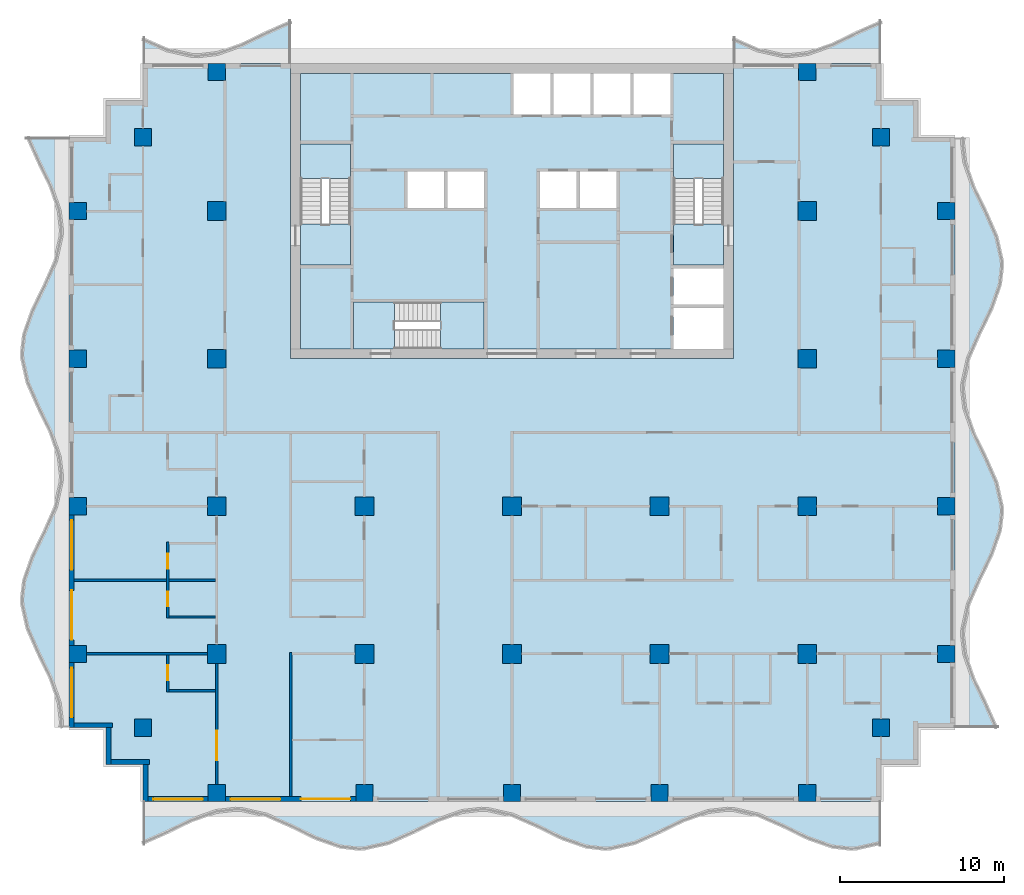
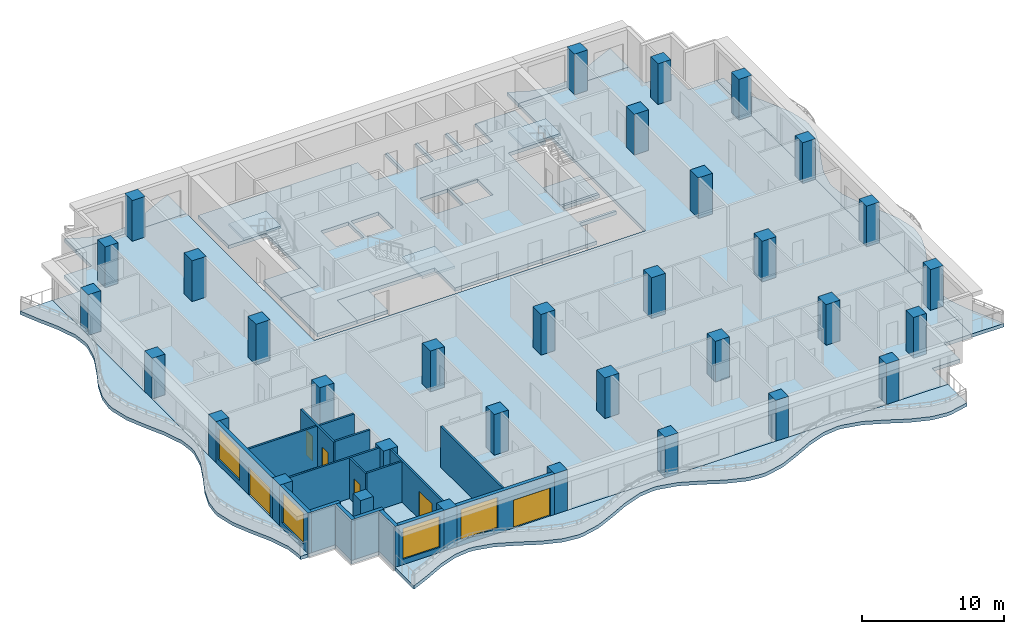
# One storey, part 1 of 11: 33 columns, 17 walls, 13 slabs, 6 doors, 4 windows, 10 openings, 3 elements without a shape of their own.
"""IFC4 building model written with IfcOpenShell, lengths in metres."""

from ifc_helpers import new_model, si_unit, direction, frame, frame_2d, origin, origin_2d, place, context, subcontext, project, spatial, polyline, rectangle, outline, extrude, material, layer, layer_set, material_profile, profile_set, type_object, element, fill, aggregate, save


model = new_model("IFC4")

# Units and contexts
model_context = context("Model", 3, precision=1e-05, world=origin(), true_north=direction((0.0, 1.0)))
body_context = subcontext(model_context, "Body", "Model", "MODEL_VIEW")
ifc_project = project(units=[si_unit("LENGTHUNIT", "METRE"), si_unit("AREAUNIT", "SQUARE_METRE"), si_unit("VOLUMEUNIT", "CUBIC_METRE"), si_unit("PLANEANGLEUNIT", "RADIAN"), si_unit("MASSUNIT", "GRAM", prefix="KILO")], contexts=[model_context])

# Site, building, storey
site_placement = place(None, origin())
site = spatial("IfcSite", under=ifc_project, at=site_placement, CompositionType="ELEMENT")
building_placement = place(site_placement, origin())
building = spatial("IfcBuilding", under=site, at=building_placement, Name="Orbiselva Terraces", CompositionType="ELEMENT")
storey_placement = place(building_placement, frame((0.0, 0.0, 192.0)))
storey = spatial("IfcBuildingStorey", under=building, at=storey_placement, Name="L48", CompositionType="ELEMENT", Elevation=192.0)

# Columns
ifc_material_1 = material(Name="Concrete C60/75", Category="concrete")
ifc_material_profile_1 = material_profile(ifc_material_1, rectangle(XDim=1.15, YDim=1.15, at=origin_2d()), Name="RC 1150x1150")
ifc_profile_set_1 = profile_set([ifc_material_profile_1], Name="Concrete C60/75")
column_type_1 = type_object("IfcColumnType", Name="COLUMN RC 1150x1150", PredefinedType="COLUMN", material=ifc_profile_set_1)
for number, where, z_axis, x_axis, name in (
    (1, (-18.0, -13.5, 0.0), (0.0, 0.0, 1.0), (1.0, 0.0, 0.0), "Column L48-01"),
    (2, (-18.0, -4.5, 0.0), (0.0, 0.0, 1.0), (1.0, 0.0, 0.0), "Column L48-03"),
    (3, (-18.0, 13.5, 0.0), (0.0, 0.0, 1.0), (1.0, 0.0, 0.0), "Column L48-04"),
    (4, (-18.0, 4.5, 0.0), (0.0, 0.0, 1.0), (1.0, 0.0, 0.0), "Column L48-06"),
    (5, (-9.0, -13.5, 0.0), (0.0, 0.0, 1.0), (1.0, 0.0, 0.0), "Column L48-13"),
    (6, (-9.0, -4.5, 0.0), (0.0, 0.0, 1.0), (1.0, 0.0, 0.0), "Column L48-15"),
    (7, (0.0, -13.5, 0.0), (0.0, 0.0, 1.0), (1.0, 0.0, 0.0), "Column L48-16"),
    (8, (0.0, -4.5, 0.0), (0.0, 0.0, 1.0), (1.0, 0.0, 0.0), "Column L48-18"),
    (9, (18.0, -13.5, 0.0), (0.0, 0.0, 1.0), (1.0, 0.0, 0.0), "Column L48-19"),
    (10, (18.0, -4.5, 0.0), (0.0, 0.0, 1.0), (1.0, 0.0, 0.0), "Column L48-21"),
    (11, (18.0, 13.5, 0.0), (0.0, 0.0, 1.0), (1.0, 0.0, 0.0), "Column L48-22"),
    (12, (18.0, 4.5, 0.0), (0.0, 0.0, 1.0), (1.0, 0.0, 0.0), "Column L48-24"),
    (13, (9.0, -13.5, 0.0), (0.0, 0.0, 1.0), (1.0, 0.0, 0.0), "Column L48-31"),
    (14, (9.0, -4.5, 0.0), (0.0, 0.0, 1.0), (1.0, 0.0, 0.0), "Column L48-33"),
):
    element("IfcColumn", number, at=place(storey_placement, frame(where, z_axis=z_axis, x_axis=x_axis)), inside=storey, type_object=column_type_1, Name=name, PredefinedType="COLUMN", context=body_context, shape_type="SweptSolid", body=[
        extrude(rectangle(XDim=1.15, YDim=1.15, at=origin_2d()), origin(), (0.0, 0.0, 1.0), 3.5),
    ])
ifc_material_2 = material(Name="Concrete C50/60", Category="concrete")
ifc_material_profile_2 = material_profile(ifc_material_2, rectangle(XDim=1.05, YDim=1.05, at=origin_2d()), Name="RC 1050x1050")
ifc_profile_set_2 = profile_set([ifc_material_profile_2], Name="Concrete C50/60")
column_type_2 = type_object("IfcColumnType", Name="PERIMETER COLUMN RC 1050x1050", PredefinedType="COLUMN", material=ifc_profile_set_2)
for number, where, z_axis, x_axis, name in (
    (15, (-18.0, -21.975, 0.0), (0.0, 0.0, 1.0), (1.0, 0.0, 0.0), "Column L48-02"),
    (16, (-18.0, 21.975, 0.0), (0.0, 0.0, 1.0), (1.0, 0.0, 0.0), "Column L48-05"),
    (17, (-26.475, -13.5, 0.0), (0.0, 0.0, 1.0), (1.0, 0.0, 0.0), "Column L48-07"),
    (18, (-22.5, -18.0, 0.0), (0.0, 0.0, 1.0), (1.0, 0.0, 0.0), "Column L48-08"),
    (19, (-26.475, -4.5, 0.0), (0.0, 0.0, 1.0), (1.0, 0.0, 0.0), "Column L48-09"),
    (20, (-26.475, 13.5, 0.0), (0.0, 0.0, 1.0), (1.0, 0.0, 0.0), "Column L48-10"),
    (21, (-22.5, 18.0, 0.0), (0.0, 0.0, 1.0), (1.0, 0.0, 0.0), "Column L48-11"),
    (22, (-26.475, 4.5, 0.0), (0.0, 0.0, 1.0), (1.0, 0.0, 0.0), "Column L48-12"),
    (23, (-9.0, -21.975, 0.0), (0.0, 0.0, 1.0), (1.0, 0.0, 0.0), "Column L48-14"),
    (24, (0.0, -21.975, 0.0), (0.0, 0.0, 1.0), (1.0, 0.0, 0.0), "Column L48-17"),
    (25, (18.0, -21.975, 0.0), (0.0, 0.0, 1.0), (1.0, 0.0, 0.0), "Column L48-20"),
    (26, (18.0, 21.975, 0.0), (0.0, 0.0, 1.0), (1.0, 0.0, 0.0), "Column L48-23"),
    (27, (26.475, -13.5, 0.0), (0.0, 0.0, 1.0), (1.0, 0.0, 0.0), "Column L48-25"),
    (28, (22.5, -18.0, 0.0), (0.0, 0.0, 1.0), (1.0, 0.0, 0.0), "Column L48-26"),
    (29, (26.475, -4.5, 0.0), (0.0, 0.0, 1.0), (1.0, 0.0, 0.0), "Column L48-27"),
    (30, (26.475, 13.5, 0.0), (0.0, 0.0, 1.0), (1.0, 0.0, 0.0), "Column L48-28"),
    (31, (22.5, 18.0, 0.0), (0.0, 0.0, 1.0), (1.0, 0.0, 0.0), "Column L48-29"),
    (32, (26.475, 4.5, 0.0), (0.0, 0.0, 1.0), (1.0, 0.0, 0.0), "Column L48-30"),
    (33, (9.0, -21.975, 0.0), (0.0, 0.0, 1.0), (1.0, 0.0, 0.0), "Column L48-32"),
):
    element("IfcColumn", number, at=place(storey_placement, frame(where, z_axis=z_axis, x_axis=x_axis)), inside=storey, type_object=column_type_2, Name=name, PredefinedType="COLUMN", context=body_context, shape_type="SweptSolid", body=[
        extrude(rectangle(XDim=1.05, YDim=1.05, at=origin_2d()), origin(), (0.0, 0.0, 1.0), 3.5),
    ])

# Slabs
ifc_material_3 = material(Name="Concrete C40/50", Category="concrete")
ifc_layer_1 = layer(ifc_material_3, 0.3)
ifc_layer_set_1 = layer_set([ifc_layer_1], Name="Concrete C40/50")
slab_type_1 = type_object("IfcSlabType", Name="CORE-SLAB-FLOOR-300", PredefinedType="FLOOR", material=ifc_layer_set_1)
slab_1_placement = place(storey_placement, frame((0.0, 0.0, -0.3)))
element("IfcSlab", 34, at=slab_1_placement, inside=storey, type_object=slab_type_1, Name="L48 S1 floor landing", PredefinedType="FLOOR", context=body_context, shape_type="SweptSolid", body=[
    extrude(outline(polyline([(-12.9, 12.7), (-9.85, 12.7), (-9.85, 10.2), (-12.9, 10.2), (-12.9, 12.7)])), origin(), (0.0, 0.0, 1.0), 0.3),
])
slab_2_placement = place(storey_placement, frame((0.0, 0.0, -0.3)))
element("IfcSlab", 35, at=slab_2_placement, inside=storey, type_object=slab_type_1, Name="L48 S2 floor landing", PredefinedType="FLOOR", context=body_context, shape_type="SweptSolid", body=[
    extrude(outline(polyline([(12.9, 12.7), (12.9, 10.2), (9.85, 10.2), (9.85, 12.7), (12.9, 12.7)])), origin(), (0.0, 0.0, 1.0), 0.3),
])
slab_3_placement = place(storey_placement, frame((0.0, 0.0, -0.3)))
element("IfcSlab", 36, at=slab_3_placement, inside=storey, type_object=slab_type_1, Name="L48 S3 floor landing", PredefinedType="FLOOR", context=body_context, shape_type="SweptSolid", body=[
    extrude(outline(polyline([(-7.15, 5.1), (-9.65, 5.1), (-9.65, 7.95), (-7.15, 7.95), (-7.15, 5.1)])), origin(), (0.0, 0.0, 1.0), 0.3),
])
slab_4_placement = place(storey_placement, frame((0.0, 0.0, -0.3)))
element("IfcSlab", 37, at=slab_4_placement, inside=storey, type_object=slab_type_1, Name="L48 core floor slab 1", PredefinedType="FLOOR", context=body_context, shape_type="SweptSolid", body=[
    extrude(outline(polyline([(-1.7, 5.1), (-1.7, 7.95), (-9.65, 7.95), (-9.65, 5.1), (-12.9, 5.1), (-12.9, 10.2), (-9.85, 10.2), (-9.85, 17.6), (-12.9, 17.6), (-12.9, 21.9), (0.1, 21.9), (0.1, 19.4), (2.3375, 19.4), (2.3375, 21.9), (2.5375, 21.9), (2.5375, 19.4), (4.775, 19.4), (4.775, 21.9), (4.975, 21.9), (4.975, 19.4), (7.2125, 19.4), (7.2125, 21.9), (7.4125, 21.9), (7.4125, 19.4), (9.65, 19.4), (9.65, 21.9), (12.9, 21.9), (12.9, 17.6), (9.85, 17.6), (9.85, 10.2), (12.9, 10.2), (12.9, 10.0), (9.85, 10.0), (9.85, 7.8), (12.9, 7.8), (12.9, 7.6), (9.85, 7.6), (9.85, 5.1), (-1.7, 5.1)]), holes=[polyline([(-4.1375, 13.7), (-4.1375, 15.9), (-6.375, 15.9), (-6.375, 13.7), (-4.1375, 13.7)]), polyline([(-1.7, 13.7), (-1.7, 15.9), (-3.9375, 15.9), (-3.9375, 13.7), (-1.7, 13.7)]), polyline([(3.9375, 15.9), (1.7, 15.9), (1.7, 13.7), (3.9375, 13.7), (3.9375, 15.9)]), polyline([(6.375, 13.7), (6.375, 15.9), (4.1375, 15.9), (4.1375, 13.7), (6.375, 13.7)])]), origin(), (0.0, 0.0, 1.0), 0.3),
])

# Stair, slab
stair_type_1 = type_object("IfcStairType", Name="CORE-STAIR-1300", PredefinedType="HALF_TURN_STAIR", material=ifc_material_3)
stair_1_placement = place(storey_placement, origin())
stair_1 = element("IfcStair", 38, at=stair_1_placement, inside=storey, type_object=stair_type_1, Name="L48 Exit Stair S1", PredefinedType="HALF_TURN_STAIR")
ifc_layer_2 = layer(ifc_material_3, 0.2)
ifc_layer_set_2 = layer_set([ifc_layer_2], Name="Concrete C40/50")
slab_type_2 = type_object("IfcSlabType", Name="CORE-STAIR-LANDING-200", PredefinedType="LANDING", material=ifc_layer_set_2)
slab_5_placement = place(storey_placement, frame((0.0, 0.0, 1.7)))
slab_5 = element("IfcSlab", 39, at=slab_5_placement, type_object=slab_type_2, Name="S1 landing 1", PredefinedType="LANDING", context=body_context, shape_type="SweptSolid", body=[
    extrude(outline(polyline([(-9.85, 15.5), (-9.85, 17.6), (-12.9, 17.6), (-12.9, 15.5), (-9.85, 15.5)])), origin(), (0.0, 0.0, 1.0), 0.2),
])
aggregate(stair_1, [slab_5])

stair_2_placement = place(storey_placement, origin())
stair_2 = element("IfcStair", 40, at=stair_2_placement, inside=storey, type_object=stair_type_1, Name="L48 Exit Stair S2", PredefinedType="HALF_TURN_STAIR")
slab_6_placement = place(storey_placement, frame((0.0, 0.0, 1.7)))
slab_6 = element("IfcSlab", 41, at=slab_6_placement, type_object=slab_type_2, Name="S2 landing 1", PredefinedType="LANDING", context=body_context, shape_type="SweptSolid", body=[
    extrude(outline(polyline([(12.9, 15.5), (12.9, 17.6), (9.85, 17.6), (9.85, 15.5), (12.9, 15.5)])), origin(), (0.0, 0.0, 1.0), 0.2),
])
aggregate(stair_2, [slab_6])

stair_type_2 = type_object("IfcStairType", Name="CORE-STAIR-1200", PredefinedType="HALF_TURN_STAIR", material=ifc_material_3)
stair_3_placement = place(storey_placement, origin())
stair_3 = element("IfcStair", 42, at=stair_3_placement, inside=storey, type_object=stair_type_2, Name="L48 Exit Stair S3", PredefinedType="HALF_TURN_STAIR")
slab_7_placement = place(storey_placement, frame((0.0, 0.0, 1.7)))
slab_7 = element("IfcSlab", 43, at=slab_7_placement, type_object=slab_type_2, Name="S3 landing 1", PredefinedType="LANDING", context=body_context, shape_type="SweptSolid", body=[
    extrude(outline(polyline([(-4.35, 5.1), (-1.7, 5.1), (-1.7, 7.95), (-4.35, 7.95), (-4.35, 5.1)])), origin(), (0.0, 0.0, 1.0), 0.2),
])
aggregate(stair_3, [slab_7])

# Slabs
ifc_layer_3 = layer(ifc_material_2, 0.3)
ifc_layer_set_3 = layer_set([ifc_layer_3], Name="Concrete C50/60")
slab_type_3 = type_object("IfcSlabType", Name="ENV-BALCONY-SLAB-300", PredefinedType="FLOOR", material=ifc_layer_set_3)
slab_8_placement = place(storey_placement, frame((0.0, 0.0, -0.3)))
element("IfcSlab", 44, at=slab_8_placement, inside=storey, type_object=slab_type_3, Name="Balcony slab L48 S", PredefinedType="FLOOR", context=body_context, shape_type="SweptSolid", body=[
    extrude(outline(polyline([(-22.5, -25.148528), (-21.0, -24.487721), (-19.5, -23.755211), (-18.0, -23.230792), (-16.875, -23.1), (-16.5, -23.114774), (-15.0, -23.451472), (-13.5, -24.112279), (-12.0, -24.844789), (-10.5, -25.369208), (-9.375, -25.5), (-9.0, -25.485226), (-7.5, -25.148528), (-6.0, -24.487721), (-4.5, -23.755211), (-3.0, -23.230792), (-1.875, -23.1), (-1.5, -23.114774), (0.0, -23.451472), (1.5, -24.112279), (3.0, -24.844789), (4.5, -25.369208), (5.625, -25.5), (6.0, -25.485226), (7.5, -25.148528), (9.0, -24.487721), (10.5, -23.755211), (12.0, -23.230792), (13.125, -23.1), (13.5, -23.114774), (15.0, -23.451472), (16.5, -24.112279), (18.0, -24.844789), (19.5, -25.369208), (20.625, -25.5), (21.0, -25.485226), (22.5, -25.148528), (22.5, -22.5), (-22.5, -22.5), (-22.5, -25.148528)])), origin(), (0.0, 0.0, 1.0), 0.3),
])
slab_9_placement = place(storey_placement, frame((0.0, 0.0, -0.3)))
element("IfcSlab", 45, at=slab_9_placement, inside=storey, type_object=slab_type_3, Name="Balcony slab L48 E", PredefinedType="FLOOR", context=body_context, shape_type="SweptSolid", body=[
    extrude(outline(polyline([(29.648528, -18.0), (28.987721, -16.5), (28.255211, -15.0), (27.730792, -13.5), (27.6, -12.375), (27.614774, -12.0), (27.951472, -10.5), (28.612279, -9.0), (29.344789, -7.5), (29.869208, -6.0), (30.0, -4.875), (29.985226, -4.5), (29.648528, -3.0), (28.987721, -1.5), (28.255211, 0.0), (27.730792, 1.5), (27.6, 2.625), (27.614774, 3.0), (27.951472, 4.5), (28.612279, 6.0), (29.344789, 7.5), (29.869208, 9.0), (30.0, 10.125), (29.985226, 10.5), (29.648528, 12.0), (28.987721, 13.5), (28.255211, 15.0), (27.730792, 16.5), (27.6, 17.625), (27.614774, 18.0), (27.0, 18.0), (27.0, -18.0), (29.648528, -18.0)])), origin(), (0.0, 0.0, 1.0), 0.3),
])
slab_10_placement = place(storey_placement, frame((0.0, 0.0, -0.3)))
element("IfcSlab", 46, at=slab_10_placement, inside=storey, type_object=slab_type_3, Name="Balcony slab L48 NE", PredefinedType="FLOOR", context=body_context, shape_type="SweptSolid", body=[
    extrude(outline(polyline([(22.5, 25.148528), (21.0, 24.487721), (19.5, 23.755211), (18.0, 23.230792), (16.875, 23.1), (16.5, 23.114774), (15.0, 23.451472), (13.5, 24.112279), (13.5, 22.5), (22.5, 22.5), (22.5, 25.148528)])), origin(), (0.0, 0.0, 1.0), 0.3),
])
slab_11_placement = place(storey_placement, frame((0.0, 0.0, -0.3)))
element("IfcSlab", 47, at=slab_11_placement, inside=storey, type_object=slab_type_3, Name="Balcony slab L48 NW", PredefinedType="FLOOR", context=body_context, shape_type="SweptSolid", body=[
    extrude(outline(polyline([(-13.5, 25.148528), (-15.0, 24.487721), (-16.5, 23.755211), (-18.0, 23.230792), (-19.125, 23.1), (-19.5, 23.114774), (-21.0, 23.451472), (-22.5, 24.112279), (-22.5, 22.5), (-13.5, 22.5), (-13.5, 25.148528)])), origin(), (0.0, 0.0, 1.0), 0.3),
])
slab_12_placement = place(storey_placement, frame((0.0, 0.0, -0.3)))
element("IfcSlab", 48, at=slab_12_placement, inside=storey, type_object=slab_type_3, Name="Balcony slab L48 W", PredefinedType="FLOOR", context=body_context, shape_type="SweptSolid", body=[
    extrude(outline(polyline([(-29.648528, 18.0), (-28.987721, 16.5), (-28.255211, 15.0), (-27.730792, 13.5), (-27.6, 12.375), (-27.614774, 12.0), (-27.951472, 10.5), (-28.612279, 9.0), (-29.344789, 7.5), (-29.869208, 6.0), (-30.0, 4.875), (-29.985226, 4.5), (-29.648528, 3.0), (-28.987721, 1.5), (-28.255211, 0.0), (-27.730792, -1.5), (-27.6, -2.625), (-27.614774, -3.0), (-27.951472, -4.5), (-28.612279, -6.0), (-29.344789, -7.5), (-29.869208, -9.0), (-30.0, -10.125), (-29.985226, -10.5), (-29.648528, -12.0), (-28.987721, -13.5), (-28.255211, -15.0), (-27.730792, -16.5), (-27.6, -17.625), (-27.614774, -18.0), (-27.0, -18.0), (-27.0, 18.0), (-29.648528, 18.0)])), origin(), (0.0, 0.0, 1.0), 0.3),
])
ifc_layer_4 = layer(ifc_material_2, 0.3)
ifc_layer_set_4 = layer_set([ifc_layer_4], Name="Concrete C50/60")
slab_type_4 = type_object("IfcSlabType", Name="FLOOR SLAB 300", PredefinedType="FLOOR", material=ifc_layer_set_4)
slab_13_placement = place(storey_placement, frame((0.0, 0.0, -0.3)))
element("IfcSlab", 49, at=slab_13_placement, inside=storey, type_object=slab_type_4, Name="Floor slab L48", PredefinedType="FLOOR", context=body_context, shape_type="SweptSolid", body=[
    extrude(outline(polyline([(22.5, 22.5), (22.5, 20.25), (24.75, 20.25), (24.75, 18.0), (27.0, 18.0), (27.0, -18.0), (24.75, -18.0), (24.75, -20.25), (22.5, -20.25), (22.5, -22.5), (-22.5, -22.5), (-22.5, -20.25), (-24.75, -20.25), (-24.75, -18.0), (-27.0, -18.0), (-27.0, 18.0), (-24.75, 18.0), (-24.75, 20.25), (-22.5, 20.25), (-22.5, 22.5), (-13.5, 22.5), (-13.5, 4.5), (13.5, 4.5), (13.5, 22.5), (22.5, 22.5)])), origin(), (0.0, 0.0, 1.0), 0.3),
])

# Wall, opening, window
ifc_material_4 = material(Name="Terracotta cladding on masonry backing", Category="masonry")
ifc_layer_5 = layer(ifc_material_4, 0.3)
ifc_layer_set_5 = layer_set([ifc_layer_5], Name="Terracotta cladding on masonry backing")
wall_type_1 = type_object("IfcWallType", Name="ENV-WALL-TERRACOTTA-300", PredefinedType="SOLIDWALL", material=ifc_layer_set_5)
wall_1_placement = place(storey_placement, frame((-18.525, -22.35, 0.0), z_axis=(0.0, 0.0, 1.0), x_axis=(-1.0, 0.0, 0.0)))
wall_1 = element("IfcWall", 50, at=wall_1_placement, inside=storey, type_object=wall_type_1, Name="Facade wall L48 S", PredefinedType="SOLIDWALL", context=body_context, shape_type="SweptSolid", body=[
    extrude(rectangle(XDim=3.675, YDim=0.3, at=frame_2d((1.8375, 0.0))), origin(), (0.0, 0.0, 1.0), 3.5),
])
opening_1_placement = place(wall_1_placement, frame((0.325, 0.0, 0.45)))
opening_1 = element("IfcOpeningElement", 51, at=opening_1_placement, cuts=wall_1, Name="Opening WN14", PredefinedType="OPENING", context=body_context, shape_type="SweptSolid", body=[
    extrude(rectangle(XDim=3.025, YDim=2.65, at=frame_2d((1.5125, 1.325))), frame((0.0, 0.16, 0.0), z_axis=(0.0, -1.0, 0.0), x_axis=(1.0, 0.0, 0.0)), (0.0, 0.0, 1.0), 0.32),
])
ifc_material_5 = material(Name="Clear low-e glazing in aluminium frame", Category="aluminium")
window_type = type_object("IfcWindowType", Name="WINDOW 3025 X 2650 S450", PartitioningType="TRIPLE_PANEL_VERTICAL", PredefinedType="WINDOW", material=ifc_material_5)
window_1_placement = place(opening_1_placement, origin())
window_1 = element("IfcWindow", 52, at=window_1_placement, inside=storey, type_object=window_type, Name="Window L48 S", OverallHeight=2.65, OverallWidth=3.025, PartitioningType="SINGLE_PANEL", PredefinedType="WINDOW", context=body_context, shape_type="SweptSolid", body=[
    extrude(rectangle(XDim=3.025, YDim=2.65, at=frame_2d((1.5125, 1.325))), frame((0.0, 0.03, 0.0), z_axis=(0.0, -1.0, 0.0), x_axis=(1.0, 0.0, 0.0)), (0.0, 0.0, 1.0), 0.06),
])
fill(opening_1, window_1)

# Wall, openings, door, window
wall_2_placement = place(storey_placement, frame((-9.525, -22.35, 0.0), z_axis=(0.0, 0.0, 1.0), x_axis=(-1.0, 0.0, 0.0)))
wall_2 = element("IfcWall", 53, at=wall_2_placement, inside=storey, type_object=wall_type_1, Name="Facade wall L48 S", PredefinedType="SOLIDWALL", context=body_context, shape_type="SweptSolid", body=[
    extrude(rectangle(XDim=7.95, YDim=0.3, at=frame_2d((3.975, 0.0))), origin(), (0.0, 0.0, 1.0), 3.5),
])
opening_2_placement = place(wall_2_placement, frame((4.6, 0.0, 0.45)))
opening_2 = element("IfcOpeningElement", 54, at=opening_2_placement, cuts=wall_2, Name="Opening WN14", PredefinedType="OPENING", context=body_context, shape_type="SweptSolid", body=[
    extrude(rectangle(XDim=3.025, YDim=2.65, at=frame_2d((1.5125, 1.325))), frame((0.0, 0.16, 0.0), z_axis=(0.0, -1.0, 0.0), x_axis=(1.0, 0.0, 0.0)), (0.0, 0.0, 1.0), 0.32),
])
opening_3_placement = place(wall_2_placement, frame((0.325, 0.0, 0.0)))
opening_3 = element("IfcOpeningElement", 55, at=opening_3_placement, cuts=wall_2, Name="Opening Z4-A-E16", PredefinedType="OPENING", context=body_context, shape_type="SweptSolid", body=[
    extrude(rectangle(XDim=3.025, YDim=2.4, at=frame_2d((1.5125, 1.2))), frame((0.0, 0.16, 0.0), z_axis=(0.0, -1.0, 0.0), x_axis=(1.0, 0.0, 0.0)), (0.0, 0.0, 1.0), 0.32),
])
door_type_1 = type_object("IfcDoorType", Name="BALCONY DOOR 3025 X 2400", OperationType="DOUBLE_DOOR_SLIDING", PredefinedType="DOOR", material=ifc_material_5)
door_1_placement = place(opening_3_placement, origin())
door_1 = element("IfcDoor", 56, at=door_1_placement, inside=storey, type_object=door_type_1, Name="Z4-A-E16", OperationType="SINGLE_SWING_LEFT", OverallHeight=2.4, OverallWidth=3.025, PredefinedType="DOOR", context=body_context, shape_type="SweptSolid", body=[
    extrude(rectangle(XDim=3.025, YDim=2.4, at=frame_2d((1.5125, 1.2))), frame((0.0, 0.025, 0.0), z_axis=(0.0, -1.0, 0.0), x_axis=(1.0, 0.0, 0.0)), (0.0, 0.0, 1.0), 0.05),
])
fill(opening_3, door_1)
window_2_placement = place(opening_2_placement, origin())
window_2 = element("IfcWindow", 57, at=window_2_placement, inside=storey, type_object=window_type, Name="Window L48 S", OverallHeight=2.65, OverallWidth=3.025, PartitioningType="SINGLE_PANEL", PredefinedType="WINDOW", context=body_context, shape_type="SweptSolid", body=[
    extrude(rectangle(XDim=3.025, YDim=2.65, at=frame_2d((1.5125, 1.325))), frame((0.0, 0.03, 0.0), z_axis=(0.0, -1.0, 0.0), x_axis=(1.0, 0.0, 0.0)), (0.0, 0.0, 1.0), 0.06),
])
fill(opening_2, window_2)

wall_3_placement = place(storey_placement, frame((-26.85, -12.975, 0.0), z_axis=(0.0, 0.0, 1.0), x_axis=(0.0, 1.0, 0.0)))
wall_3 = element("IfcWall", 58, at=wall_3_placement, inside=storey, type_object=wall_type_1, Name="Facade wall L48 W", PredefinedType="SOLIDWALL", context=body_context, shape_type="SweptSolid", body=[
    extrude(rectangle(XDim=7.95, YDim=0.3, at=frame_2d((3.975, 0.0))), origin(), (0.0, 0.0, 1.0), 3.5),
])
opening_4_placement = place(wall_3_placement, frame((4.6, 0.0, 0.45)))
opening_4 = element("IfcOpeningElement", 59, at=opening_4_placement, cuts=wall_3, Name="Opening WN14", PredefinedType="OPENING", context=body_context, shape_type="SweptSolid", body=[
    extrude(rectangle(XDim=3.025, YDim=2.65, at=frame_2d((1.5125, 1.325))), frame((0.0, 0.16, 0.0), z_axis=(0.0, -1.0, 0.0), x_axis=(1.0, 0.0, 0.0)), (0.0, 0.0, 1.0), 0.32),
])
opening_5_placement = place(wall_3_placement, frame((0.325, 0.0, 0.0)))
opening_5 = element("IfcOpeningElement", 60, at=opening_5_placement, cuts=wall_3, Name="Opening Z4-A-E13", PredefinedType="OPENING", context=body_context, shape_type="SweptSolid", body=[
    extrude(rectangle(XDim=3.025, YDim=2.4, at=frame_2d((1.5125, 1.2))), frame((0.0, 0.16, 0.0), z_axis=(0.0, -1.0, 0.0), x_axis=(1.0, 0.0, 0.0)), (0.0, 0.0, 1.0), 0.32),
])
door_2_placement = place(opening_5_placement, origin())
door_2 = element("IfcDoor", 61, at=door_2_placement, inside=storey, type_object=door_type_1, Name="Z4-A-E13", OperationType="SINGLE_SWING_LEFT", OverallHeight=2.4, OverallWidth=3.025, PredefinedType="DOOR", context=body_context, shape_type="SweptSolid", body=[
    extrude(rectangle(XDim=3.025, YDim=2.4, at=frame_2d((1.5125, 1.2))), frame((0.0, 0.025, 0.0), z_axis=(0.0, -1.0, 0.0), x_axis=(1.0, 0.0, 0.0)), (0.0, 0.0, 1.0), 0.05),
])
fill(opening_5, door_2)
window_3_placement = place(opening_4_placement, origin())
window_3 = element("IfcWindow", 62, at=window_3_placement, inside=storey, type_object=window_type, Name="Window L48 W", OverallHeight=2.65, OverallWidth=3.025, PartitioningType="SINGLE_PANEL", PredefinedType="WINDOW", context=body_context, shape_type="SweptSolid", body=[
    extrude(rectangle(XDim=3.025, YDim=2.65, at=frame_2d((1.5125, 1.325))), frame((0.0, 0.03, 0.0), z_axis=(0.0, -1.0, 0.0), x_axis=(1.0, 0.0, 0.0)), (0.0, 0.0, 1.0), 0.06),
])
fill(opening_4, window_3)

# Wall, opening, window
wall_4_placement = place(storey_placement, frame((-26.85, -18.0, 0.0), z_axis=(0.0, 0.0, 1.0), x_axis=(0.0, 1.0, 0.0)))
wall_4 = element("IfcWall", 63, at=wall_4_placement, inside=storey, type_object=wall_type_1, Name="Facade wall L48 W", PredefinedType="SOLIDWALL", context=body_context, shape_type="SweptSolid", body=[
    extrude(rectangle(XDim=3.975, YDim=0.3, at=frame_2d((1.9875, 0.0))), origin(), (0.0, 0.0, 1.0), 3.5),
])
opening_6_placement = place(wall_4_placement, frame((0.625, 0.0, 0.45)))
opening_6 = element("IfcOpeningElement", 64, at=opening_6_placement, cuts=wall_4, Name="Opening WN14", PredefinedType="OPENING", context=body_context, shape_type="SweptSolid", body=[
    extrude(rectangle(XDim=3.025, YDim=2.65, at=frame_2d((1.5125, 1.325))), frame((0.0, 0.16, 0.0), z_axis=(0.0, -1.0, 0.0), x_axis=(1.0, 0.0, 0.0)), (0.0, 0.0, 1.0), 0.32),
])
window_4_placement = place(opening_6_placement, origin())
window_4 = element("IfcWindow", 65, at=window_4_placement, inside=storey, type_object=window_type, Name="Window L48 W", OverallHeight=2.65, OverallWidth=3.025, PartitioningType="SINGLE_PANEL", PredefinedType="WINDOW", context=body_context, shape_type="SweptSolid", body=[
    extrude(rectangle(XDim=3.025, YDim=2.65, at=frame_2d((1.5125, 1.325))), frame((0.0, 0.03, 0.0), z_axis=(0.0, -1.0, 0.0), x_axis=(1.0, 0.0, 0.0)), (0.0, 0.0, 1.0), 0.06),
])
fill(opening_6, window_4)

# Walls
wall_5_placement = place(storey_placement, frame((-24.35, -17.85, 0.0), z_axis=(0.0, 0.0, 1.0), x_axis=(-1.0, 0.0, 0.0)))
element("IfcWall", 66, at=wall_5_placement, inside=storey, type_object=wall_type_1, Name="Facade wall L48 STEP", PredefinedType="SOLIDWALL", context=body_context, shape_type="SweptSolid", body=[
    extrude(rectangle(XDim=2.35, YDim=0.3, at=frame_2d((1.175, 0.0))), origin(), (0.0, 0.0, 1.0), 3.5),
])
wall_6_placement = place(storey_placement, frame((-24.6, -20.25, 0.0), z_axis=(0.0, 0.0, 1.0), x_axis=(0.0, 1.0, 0.0)))
element("IfcWall", 67, at=wall_6_placement, inside=storey, type_object=wall_type_1, Name="Facade wall L48 STEP", PredefinedType="SOLIDWALL", context=body_context, shape_type="SweptSolid", body=[
    extrude(rectangle(XDim=2.25, YDim=0.3, at=frame_2d((1.125, 0.0))), origin(), (0.0, 0.0, 1.0), 3.5),
])
wall_7_placement = place(storey_placement, frame((-22.1, -20.1, 0.0), z_axis=(0.0, 0.0, 1.0), x_axis=(-1.0, 0.0, 0.0)))
element("IfcWall", 68, at=wall_7_placement, inside=storey, type_object=wall_type_1, Name="Facade wall L48 STEP", PredefinedType="SOLIDWALL", context=body_context, shape_type="SweptSolid", body=[
    extrude(rectangle(XDim=2.35, YDim=0.3, at=frame_2d((1.175, 0.0))), origin(), (0.0, 0.0, 1.0), 3.5),
])
wall_8_placement = place(storey_placement, frame((-22.35, -22.5, 0.0), z_axis=(0.0, 0.0, 1.0), x_axis=(0.0, 1.0, 0.0)))
element("IfcWall", 69, at=wall_8_placement, inside=storey, type_object=wall_type_1, Name="Facade wall L48 STEP", PredefinedType="SOLIDWALL", context=body_context, shape_type="SweptSolid", body=[
    extrude(rectangle(XDim=2.25, YDim=0.3, at=frame_2d((1.125, 0.0))), origin(), (0.0, 0.0, 1.0), 3.5),
])
ifc_material_6 = material(Name="Plasterboard on steel stud partition", Category="steel")
ifc_layer_6 = layer(ifc_material_6, 0.15)
ifc_layer_set_6 = layer_set([ifc_layer_6], Name="Plasterboard on steel stud partition")
wall_type_2 = type_object("IfcWallType", Name="UNIT-PARTITION-150", PredefinedType="PARTITIONING", material=ifc_layer_set_6)
wall_9_placement = place(storey_placement, frame((-20.925, -15.75, 0.0), z_axis=(0.0, 0.0, 1.0), x_axis=(1.0, 0.0, 0.0)))
element("IfcWall", 70, at=wall_9_placement, inside=storey, type_object=wall_type_2, Name="PARTITION L48-006", PredefinedType="PARTITIONING", context=body_context, shape_type="SweptSolid", body=[
    extrude(rectangle(XDim=2.85, YDim=0.15, at=frame_2d((1.425, 0.0))), origin(), (0.0, 0.0, 1.0), 3.5),
])
wall_10_placement = place(storey_placement, frame((-25.95, -13.5, 0.0), z_axis=(0.0, 0.0, 1.0), x_axis=(1.0, 0.0, 0.0)))
element("IfcWall", 71, at=wall_10_placement, inside=storey, type_object=wall_type_2, Name="PARTITION L48-007", PredefinedType="PARTITIONING", context=body_context, shape_type="SweptSolid", body=[
    extrude(rectangle(XDim=7.375, YDim=0.15, at=frame_2d((3.6875, 0.0))), origin(), (0.0, 0.0, 1.0), 3.5),
])
wall_11_placement = place(storey_placement, frame((-20.925, -11.25, 0.0), z_axis=(0.0, 0.0, 1.0), x_axis=(1.0, 0.0, 0.0)))
element("IfcWall", 72, at=wall_11_placement, inside=storey, type_object=wall_type_2, Name="PARTITION L48-012", PredefinedType="PARTITIONING", context=body_context, shape_type="SweptSolid", body=[
    extrude(rectangle(XDim=2.85, YDim=0.15, at=frame_2d((1.425, 0.0))), origin(), (0.0, 0.0, 1.0), 3.5),
])
wall_12_placement = place(storey_placement, frame((-26.7, -9.0, 0.0), z_axis=(0.0, 0.0, 1.0), x_axis=(1.0, 0.0, 0.0)))
element("IfcWall", 73, at=wall_12_placement, inside=storey, type_object=wall_type_2, Name="PARTITION L48-014", PredefinedType="PARTITIONING", context=body_context, shape_type="SweptSolid", body=[
    extrude(rectangle(XDim=5.625, YDim=0.15, at=frame_2d((2.8125, 0.0))), origin(), (0.0, 0.0, 1.0), 3.5),
])
wall_13_placement = place(storey_placement, frame((-20.925, -9.0, 0.0), z_axis=(0.0, 0.0, 1.0), x_axis=(1.0, 0.0, 0.0)))
element("IfcWall", 74, at=wall_13_placement, inside=storey, type_object=wall_type_2, Name="PARTITION L48-015", PredefinedType="PARTITIONING", context=body_context, shape_type="SweptSolid", body=[
    extrude(rectangle(XDim=2.85, YDim=0.15, at=frame_2d((1.425, 0.0))), origin(), (0.0, 0.0, 1.0), 3.5),
])

# Wall, opening, door
wall_14_placement = place(storey_placement, frame((-21.0, -13.575, 0.0), z_axis=(0.0, 0.0, 1.0), x_axis=(0.0, -1.0, 0.0)))
wall_14 = element("IfcWall", 75, at=wall_14_placement, inside=storey, type_object=wall_type_2, Name="PARTITION L48-044", PredefinedType="PARTITIONING", context=body_context, shape_type="SweptSolid", body=[
    extrude(rectangle(XDim=2.25, YDim=0.15, at=frame_2d((1.125, 0.0))), origin(), (0.0, 0.0, 1.0), 3.5),
])
opening_7_placement = place(wall_14_placement, frame((0.625, 0.0, 0.0)))
opening_7 = element("IfcOpeningElement", 76, at=opening_7_placement, cuts=wall_14, Name="Opening Z4-A-27", PredefinedType="OPENING", context=body_context, shape_type="SweptSolid", body=[
    extrude(rectangle(XDim=0.9, YDim=2.1, at=frame_2d((0.45, 1.05))), frame((0.0, 0.085, 0.0), z_axis=(0.0, -1.0, 0.0), x_axis=(1.0, 0.0, 0.0)), (0.0, 0.0, 1.0), 0.17),
])
ifc_material_7 = material(Name="Painted timber door leaf", Category="wood")
door_type_2 = type_object("IfcDoorType", Name="BATH DOOR 900", OperationType="NOTDEFINED", PredefinedType="DOOR", material=ifc_material_7)
door_3_placement = place(opening_7_placement, origin())
door_3 = element("IfcDoor", 77, at=door_3_placement, inside=storey, type_object=door_type_2, Name="Z4-A-27", OperationType="SINGLE_SWING_LEFT", OverallHeight=2.1, OverallWidth=0.9, PredefinedType="DOOR", context=body_context, shape_type="SweptSolid", body=[
    extrude(rectangle(XDim=0.9, YDim=2.1, at=frame_2d((0.45, 1.05))), frame((0.0, 0.025, 0.0), z_axis=(0.0, -1.0, 0.0), x_axis=(1.0, 0.0, 0.0)), (0.0, 0.0, 1.0), 0.05),
])
fill(opening_7, door_3)

# Wall, openings, doors
wall_15_placement = place(storey_placement, frame((-21.0, -6.675, 0.0), z_axis=(0.0, 0.0, 1.0), x_axis=(0.0, -1.0, 0.0)))
wall_15 = element("IfcWall", 78, at=wall_15_placement, inside=storey, type_object=wall_type_2, Name="PARTITION L48-045", PredefinedType="PARTITIONING", context=body_context, shape_type="SweptSolid", body=[
    extrude(rectangle(XDim=4.65, YDim=0.15, at=frame_2d((2.325, 0.0))), origin(), (0.0, 0.0, 1.0), 3.5),
])
opening_8_placement = place(wall_15_placement, frame((0.725, 0.0, 0.0)))
opening_8 = element("IfcOpeningElement", 79, at=opening_8_placement, cuts=wall_15, Name="Opening Z4-A-23", PredefinedType="OPENING", context=body_context, shape_type="SweptSolid", body=[
    extrude(rectangle(XDim=0.9, YDim=2.1, at=frame_2d((0.45, 1.05))), frame((0.0, 0.085, 0.0), z_axis=(0.0, -1.0, 0.0), x_axis=(1.0, 0.0, 0.0)), (0.0, 0.0, 1.0), 0.17),
])
opening_9_placement = place(wall_15_placement, frame((3.025, 0.0, 0.0)))
opening_9 = element("IfcOpeningElement", 80, at=opening_9_placement, cuts=wall_15, Name="Opening Z4-A-25", PredefinedType="OPENING", context=body_context, shape_type="SweptSolid", body=[
    extrude(rectangle(XDim=0.9, YDim=2.1, at=frame_2d((0.45, 1.05))), frame((0.0, 0.085, 0.0), z_axis=(0.0, -1.0, 0.0), x_axis=(1.0, 0.0, 0.0)), (0.0, 0.0, 1.0), 0.17),
])
door_4_placement = place(opening_8_placement, origin())
door_4 = element("IfcDoor", 81, at=door_4_placement, inside=storey, type_object=door_type_2, Name="Z4-A-23", OperationType="SINGLE_SWING_LEFT", OverallHeight=2.1, OverallWidth=0.9, PredefinedType="DOOR", context=body_context, shape_type="SweptSolid", body=[
    extrude(rectangle(XDim=0.9, YDim=2.1, at=frame_2d((0.45, 1.05))), frame((0.0, 0.025, 0.0), z_axis=(0.0, -1.0, 0.0), x_axis=(1.0, 0.0, 0.0)), (0.0, 0.0, 1.0), 0.05),
])
fill(opening_8, door_4)
door_5_placement = place(opening_9_placement, origin())
door_5 = element("IfcDoor", 82, at=door_5_placement, inside=storey, type_object=door_type_2, Name="Z4-A-25", OperationType="SINGLE_SWING_RIGHT", OverallHeight=2.1, OverallWidth=0.9, PredefinedType="DOOR", context=body_context, shape_type="SweptSolid", body=[
    extrude(rectangle(XDim=0.9, YDim=2.1, at=frame_2d((0.45, 1.05))), frame((0.0, 0.025, 0.0), z_axis=(0.0, -1.0, 0.0), x_axis=(1.0, 0.0, 0.0)), (0.0, 0.0, 1.0), 0.05),
])
fill(opening_9, door_5)

# Wall, opening, door
wall_16_placement = place(storey_placement, frame((-18.0, -21.45, 0.0), z_axis=(0.0, 0.0, 1.0), x_axis=(0.0, 1.0, 0.0)))
wall_16 = element("IfcWall", 83, at=wall_16_placement, inside=storey, type_object=wall_type_2, Name="PARTITION L48-047", PredefinedType="PARTITIONING", context=body_context, shape_type="SweptSolid", body=[
    extrude(rectangle(XDim=7.375, YDim=0.15, at=frame_2d((3.6875, 0.0))), origin(), (0.0, 0.0, 1.0), 3.5),
])
opening_10_placement = place(wall_16_placement, frame((1.45, 0.0, 0.0)))
opening_10 = element("IfcOpeningElement", 84, at=opening_10_placement, cuts=wall_16, Name="Opening Z4-A-26", PredefinedType="OPENING", context=body_context, shape_type="SweptSolid", body=[
    extrude(rectangle(XDim=1.8, YDim=2.4, at=frame_2d((0.9, 1.2))), frame((0.0, 0.085, 0.0), z_axis=(0.0, -1.0, 0.0), x_axis=(1.0, 0.0, 0.0)), (0.0, 0.0, 1.0), 0.17),
])
door_type_3 = type_object("IfcDoorType", Name="DOUBLE DOOR 1800", OperationType="NOTDEFINED", PredefinedType="DOOR", material=ifc_material_7)
door_6_placement = place(opening_10_placement, origin())
door_6 = element("IfcDoor", 85, at=door_6_placement, inside=storey, type_object=door_type_3, Name="Z4-A-26", OperationType="DOUBLE_DOOR_SINGLE_SWING", OverallHeight=2.4, OverallWidth=1.8, PredefinedType="DOOR", context=body_context, shape_type="SweptSolid", body=[
    extrude(rectangle(XDim=1.8, YDim=2.4, at=frame_2d((0.9, 1.2))), frame((0.0, 0.025, 0.0), z_axis=(0.0, -1.0, 0.0), x_axis=(1.0, 0.0, 0.0)), (0.0, 0.0, 1.0), 0.05),
])
fill(opening_10, door_6)

# Wall
wall_17_placement = place(storey_placement, frame((-13.5, -22.2, 0.0), z_axis=(0.0, 0.0, 1.0), x_axis=(0.0, 1.0, 0.0)))
element("IfcWall", 86, at=wall_17_placement, inside=storey, type_object=wall_type_2, Name="PARTITION L48-053", PredefinedType="PARTITIONING", context=body_context, shape_type="SweptSolid", body=[
    extrude(rectangle(XDim=8.775, YDim=0.15, at=frame_2d((4.3875, 0.0))), origin(), (0.0, 0.0, 1.0), 3.5),
])

save(model, "model.ifc")
